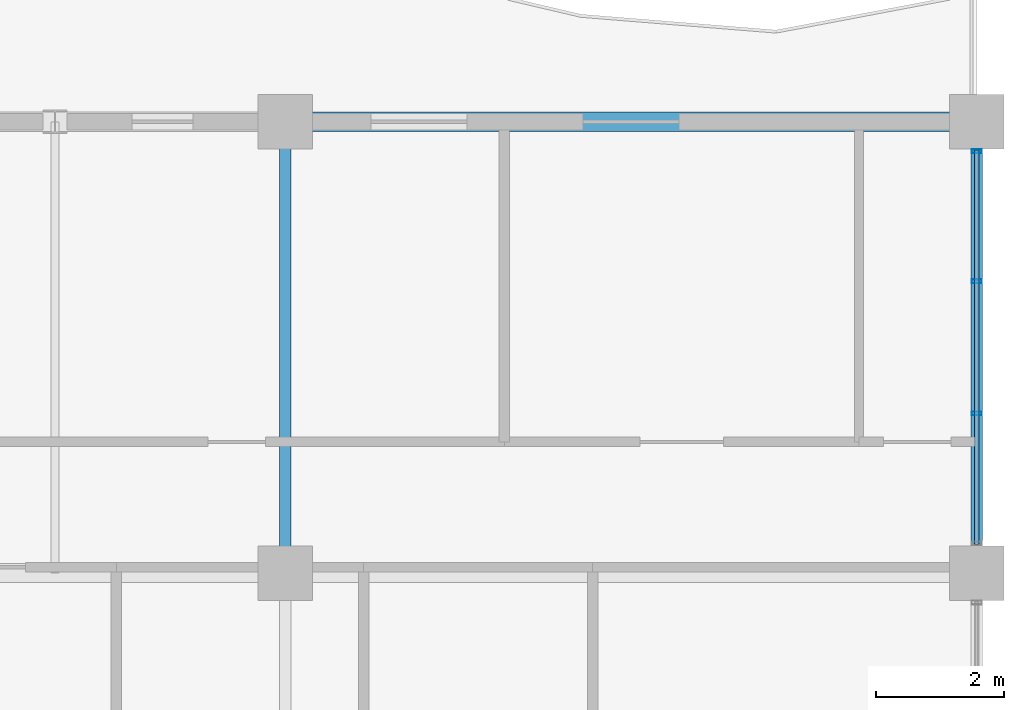
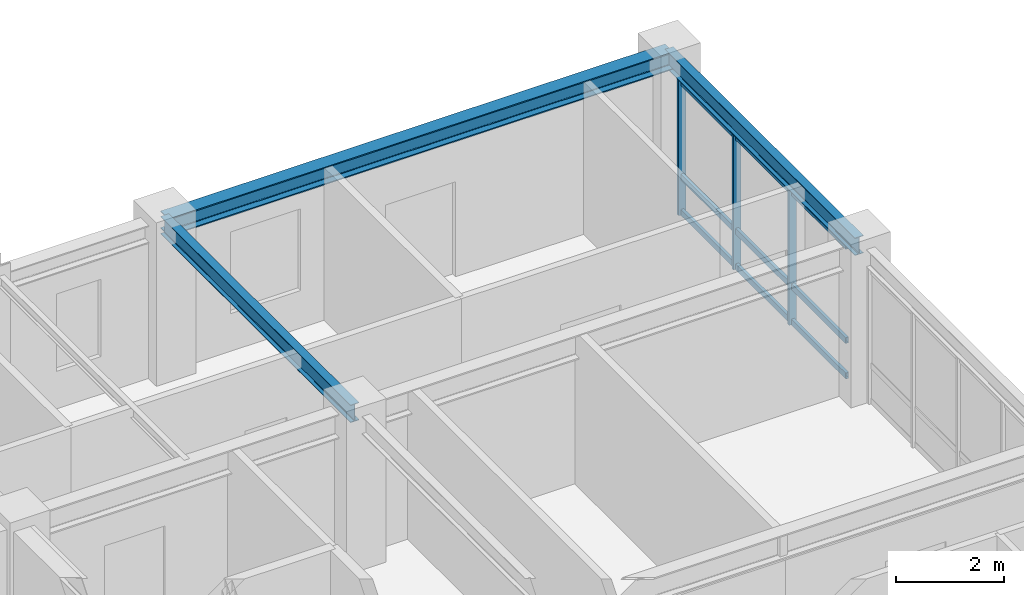
# One storey, part 4 of 10: 6 members, 3 beams, 1 element without a shape of its own.
"""IFC4 building model written with IfcOpenShell, lengths in metres."""

from ifc_helpers import new_model, si_unit, direction, frame, origin, origin_2d, place, context, subcontext, project, spatial, hollow_rectangle, i_section, extrude, source, transform, mapped, material, layer, layer_set, material_profile, profile_set, type_object, element, aggregate, save


model = new_model("IFC4")

# Units and contexts
model_context = context("Model", 3, precision=1e-05, world=origin(), true_north=direction((0.0, 1.0)))
body_context = subcontext(model_context, "Body", "Model", "MODEL_VIEW")
ifc_project = project(units=[si_unit("LENGTHUNIT", "METRE"), si_unit("AREAUNIT", "SQUARE_METRE"), si_unit("VOLUMEUNIT", "CUBIC_METRE"), si_unit("PLANEANGLEUNIT", "RADIAN"), si_unit("MASSUNIT", "GRAM", prefix="KILO")], contexts=[model_context])

# Site, building, storey
site_placement = place(None, origin())
site = spatial("IfcSite", under=ifc_project, at=site_placement, CompositionType="ELEMENT")
building_placement = place(site_placement, origin())
building = spatial("IfcBuilding", under=site, at=building_placement, Name="Kaliganga Portal Commons", CompositionType="ELEMENT")
storey_placement = place(building_placement, frame((0.0, 0.0, 279.5)))
storey = spatial("IfcBuildingStorey", under=building, at=storey_placement, Name="L72", CompositionType="ELEMENT", Elevation=279.5)

# Beams
ifc_material_1 = material(Name="Structural steel S355J2", Category="steel")
ifc_material_profile_1 = material_profile(ifc_material_1, i_section(OverallWidth=0.300048828125, OverallDepth=0.39990234375, WebThickness=0.013427734375, FlangeThickness=0.02392578125, FilletRadius=0.027099609375, at=origin_2d()), Name="HE 400 B")
ifc_profile_set_1 = profile_set([ifc_material_profile_1], Name="Structural steel S355J2 wide-flange")
beam_type_1 = type_object("IfcBeamType", Name="BM-SPAND-400", PredefinedType="SPANDREL", material=ifc_profile_set_1)
shared_shape_1 = source(origin(), body_context, "Body", "SweptSolid", [
    extrude(i_section(OverallWidth=0.300048828125, OverallDepth=0.39990234375, WebThickness=0.013427734375, FlangeThickness=0.02392578125, FilletRadius=0.027099609375, at=origin_2d()), origin(), (0.0, 0.0, 1.0), 10.800048828125),
])
beam_placement = place(storey_placement, frame((36.0, 43.199951171875, 3.27490234375), z_axis=(1.0, 0.0, 0.0), x_axis=(0.0, 1.0, 0.0)))
element("IfcBeam", 1, at=beam_placement, inside=storey, type_object=beam_type_1, Name="BM SP L72 AN 7", PredefinedType="SPANDREL", context=body_context, shape_type="MappedRepresentation", body=[
    mapped(shared_shape_1, transform((0.0, 0.0, 0.0), x_axis=(1.0, 0.0, 0.0), y_axis=(0.0, 1.0, 0.0), z_axis=(0.0, 0.0, 1.0), scale=1.0)),
])
ifc_material_profile_2 = material_profile(ifc_material_1, i_section(OverallWidth=0.179931640625, OverallDepth=0.39990234375, WebThickness=0.008544921875, FlangeThickness=0.013427734375, FilletRadius=0.02099609375, at=origin_2d()), Name="IPE 400")
ifc_profile_set_2 = profile_set([ifc_material_profile_2], Name="Structural steel S355J2 wide-flange")
beam_type_2 = type_object("IfcBeamType", Name="BM-FLR-400", PredefinedType="BEAM", material=ifc_profile_set_2)
shared_shape_2 = source(origin(), body_context, "Body", "SweptSolid", [
    extrude(i_section(OverallWidth=0.179931640625, OverallDepth=0.39990234375, WebThickness=0.008544921875, FlangeThickness=0.013427734375, FilletRadius=0.02099609375, at=origin_2d()), origin(), (0.0, 0.0, 1.0), 7.050048828125),
])
for number, where, z_axis, x_axis, name in (
    (2, (36.0, 36.14990234375, 3.27490234375), (0.0, 1.0, 0.0), (-1.0, 0.0, 0.0), "BM G L72 AN360"),
    (3, (46.800048828125, 36.14990234375, 3.27490234375), (0.0, 1.0, 0.0), (-1.0, 0.0, 0.0), "BM G L72 AN468"),
):
    element("IfcBeam", number, at=place(storey_placement, frame(where, z_axis=z_axis, x_axis=x_axis)), inside=storey, type_object=beam_type_2, Name=name, PredefinedType="BEAM", context=body_context, shape_type="MappedRepresentation", body=[
        mapped(shared_shape_2, transform((0.0, 0.0, 0.0), x_axis=(1.0, 0.0, 0.0), y_axis=(0.0, 1.0, 0.0), z_axis=(0.0, 0.0, 1.0), scale=1.0)),
    ])

# Curtain wall, members
ifc_material_2 = material(Name="Anodized Aluminium and Laminated Low-E Glass", Category="aluminium")
ifc_layer = layer(ifc_material_2, 0.18994140625)
ifc_layer_set = layer_set([ifc_layer], Name="Anodized Aluminium and Laminated Low-E Glass")
curtain_wall_type = type_object("IfcCurtainWallType", Name="CW-SYS-05", PredefinedType="NOTDEFINED", material=ifc_layer_set)
curtain_wall_placement = place(storey_placement, origin())
curtain_wall = element("IfcCurtainWall", 4, at=curtain_wall_placement, inside=storey, type_object=curtain_wall_type, Name="CW 05 L72 P1E01S3", PredefinedType="NOTDEFINED")
ifc_material_3 = material(Name="Dark Bronze Anodized Aluminium", Category="aluminium")
ifc_material_profile_3 = material_profile(ifc_material_3, hollow_rectangle(XDim=0.06005859375, YDim=0.159912109375, WallThickness=0.00341796875, at=origin_2d()), Name="ALU MULL 60x160x3.5")
ifc_profile_set_3 = profile_set([ifc_material_profile_3], Name="Dark Bronze Anodized Aluminium")
member_type_1 = type_object("IfcMemberType", Name="CW-MUL-160", PredefinedType="MULLION", material=ifc_profile_set_3)
shared_shape_3 = source(origin(), body_context, "Body", "SweptSolid", [
    extrude(hollow_rectangle(XDim=0.06005859375, YDim=0.159912109375, WallThickness=0.00341796875, at=origin_2d()), origin(), (0.0, 0.0, 1.0), 3.074951171875),
])
member_1_placement = place(storey_placement, frame((46.800048828125, 38.64208984375, 0.0), z_axis=(0.0, 0.0, 1.0), x_axis=(0.0, 1.0, 0.0)))
member_1 = element("IfcMember", 5, at=member_1_placement, type_object=member_type_1, Name="CW:05:L72:P1E01S3 Mullion 01", PredefinedType="MULLION", context=body_context, shape_type="MappedRepresentation", body=[
    mapped(shared_shape_3, transform((0.0, 0.0, 0.0), x_axis=(1.0, 0.0, 0.0), y_axis=(0.0, 1.0, 0.0), z_axis=(0.0, 0.0, 1.0), scale=1.0)),
])
member_2_placement = place(storey_placement, frame((46.800048828125, 40.7080078125, 0.0), z_axis=(0.0, 0.0, 1.0), x_axis=(0.0, 1.0, 0.0)))
member_2 = element("IfcMember", 6, at=member_2_placement, type_object=member_type_1, Name="CW:05:L72:P1E01S3 Mullion 02", PredefinedType="MULLION", context=body_context, shape_type="MappedRepresentation", body=[
    mapped(shared_shape_3, transform((0.0, 0.0, 0.0), x_axis=(1.0, 0.0, 0.0), y_axis=(0.0, 1.0, 0.0), z_axis=(0.0, 0.0, 1.0), scale=1.0)),
])
member_3_placement = place(storey_placement, frame((46.800048828125, 42.739013671875, 0.0), z_axis=(0.0, 0.0, 1.0), x_axis=(0.0, 1.0, 0.0)))
member_3 = element("IfcMember", 7, at=member_3_placement, type_object=member_type_1, Name="CW:05:L72:P1E01S3 Mullion 03", PredefinedType="MULLION", context=body_context, shape_type="MappedRepresentation", body=[
    mapped(shared_shape_3, transform((0.0, 0.0, 0.0), x_axis=(1.0, 0.0, 0.0), y_axis=(0.0, 1.0, 0.0), z_axis=(0.0, 0.0, 1.0), scale=1.0)),
])
ifc_material_profile_4 = material_profile(ifc_material_3, hollow_rectangle(XDim=0.06494140625, YDim=0.135009765625, WallThickness=0.00341796875, at=origin_2d()), Name="ALU TRAN 65x135x3.5")
ifc_profile_set_4 = profile_set([ifc_material_profile_4], Name="Dark Bronze Anodized Aluminium")
member_type_2 = type_object("IfcMemberType", Name="CW-TRN-135", PredefinedType="USERDEFINED", material=ifc_profile_set_4)
shared_shape_4 = source(origin(), body_context, "Body", "SweptSolid", [
    extrude(hollow_rectangle(XDim=0.06494140625, YDim=0.135009765625, WallThickness=0.00341796875, at=origin_2d()), origin(), (0.0, 0.0, 1.0), 6.157958984375),
])
member_4_placement = place(storey_placement, frame((46.800048828125, 36.595947265625, 0.06005859375), z_axis=(0.0, 1.0, 0.0), x_axis=(-1.0, 0.0, 0.0)))
member_4 = element("IfcMember", 8, at=member_4_placement, type_object=member_type_2, Name="CW:05:L72:P1E01S3 Transom 1", ObjectType="TRANSOM", PredefinedType="USERDEFINED", context=body_context, shape_type="MappedRepresentation", body=[
    mapped(shared_shape_4, transform((0.0, 0.0, 0.0), x_axis=(1.0, 0.0, 0.0), y_axis=(0.0, 1.0, 0.0), z_axis=(0.0, 0.0, 1.0), scale=1.0)),
])
member_5_placement = place(storey_placement, frame((46.800048828125, 36.595947265625, 0.861083984375), z_axis=(0.0, 1.0, 0.0), x_axis=(-1.0, 0.0, 0.0)))
member_5 = element("IfcMember", 9, at=member_5_placement, type_object=member_type_2, Name="CW:05:L72:P1E01S3 Transom 2", ObjectType="TRANSOM", PredefinedType="USERDEFINED", context=body_context, shape_type="MappedRepresentation", body=[
    mapped(shared_shape_4, transform((0.0, 0.0, 0.0), x_axis=(1.0, 0.0, 0.0), y_axis=(0.0, 1.0, 0.0), z_axis=(0.0, 0.0, 1.0), scale=1.0)),
])
member_6_placement = place(storey_placement, frame((46.800048828125, 36.595947265625, 2.9951171875), z_axis=(0.0, 1.0, 0.0), x_axis=(-1.0, 0.0, 0.0)))
member_6 = element("IfcMember", 10, at=member_6_placement, type_object=member_type_2, Name="CW:05:L72:P1E01S3 Transom 3", ObjectType="TRANSOM", PredefinedType="USERDEFINED", context=body_context, shape_type="MappedRepresentation", body=[
    mapped(shared_shape_4, transform((0.0, 0.0, 0.0), x_axis=(1.0, 0.0, 0.0), y_axis=(0.0, 1.0, 0.0), z_axis=(0.0, 0.0, 1.0), scale=1.0)),
])
aggregate(curtain_wall, [member_1, member_2, member_3, member_4, member_5, member_6])

save(model, "model.ifc")
